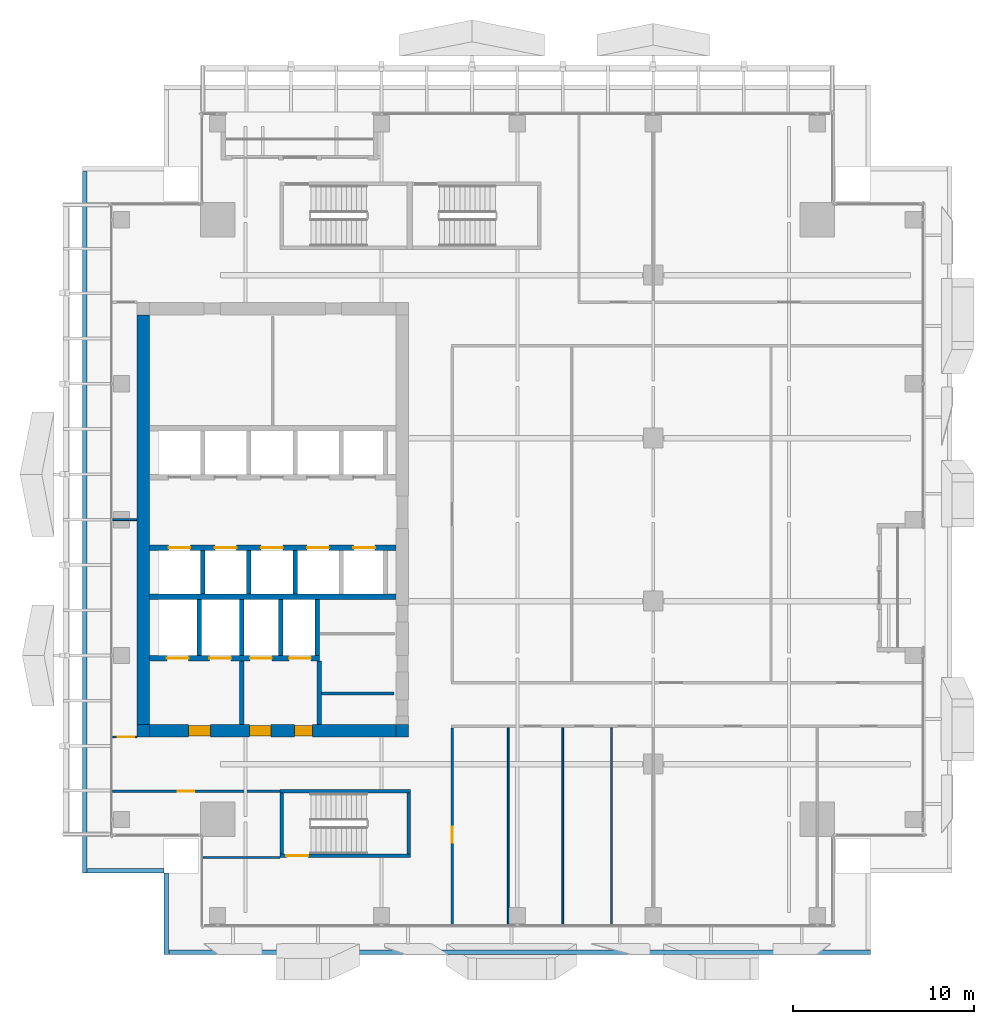
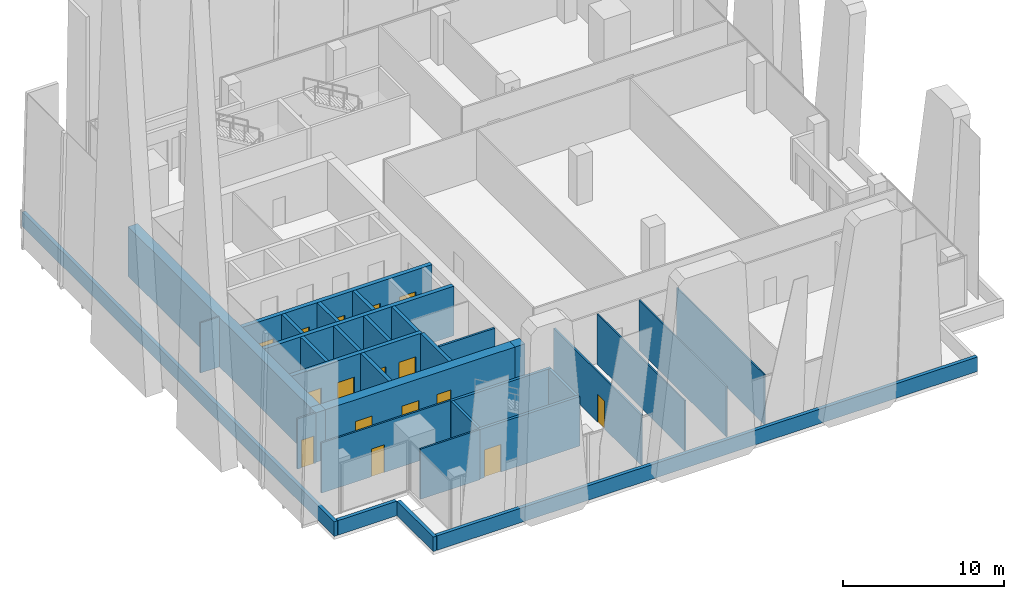
# One storey, part 26 of 33: 33 walls, 16 doors, 16 openings.
"""IFC4 building model written with IfcOpenShell, lengths in metres."""

from ifc_helpers import new_model, si_unit, direction, frame, frame_2d, origin, place, context, subcontext, project, spatial, rectangle, extrude, source, transform, mapped, material, layer, layer_set, type_object, element, fill, save


model = new_model("IFC4")

# Units and contexts
model_context = context("Model", 3, precision=1e-05, world=origin(), true_north=direction((0.0, 1.0)))
body_context = subcontext(model_context, "Body", "Model", "MODEL_VIEW")
ifc_project = project(units=[si_unit("LENGTHUNIT", "METRE"), si_unit("AREAUNIT", "SQUARE_METRE"), si_unit("VOLUMEUNIT", "CUBIC_METRE"), si_unit("PLANEANGLEUNIT", "RADIAN"), si_unit("MASSUNIT", "GRAM", prefix="KILO")], contexts=[model_context])

# Site, building, storey
site_placement = place(None, origin())
site = spatial("IfcSite", under=ifc_project, at=site_placement, CompositionType="ELEMENT")
building_placement = place(site_placement, origin())
building = spatial("IfcBuilding", under=site, at=building_placement, Name="Khomas Fold Tower", CompositionType="ELEMENT")
storey_placement = place(building_placement, frame((0.0, 0.0, 222.199951171875)))
storey = spatial("IfcBuildingStorey", under=building, at=storey_placement, Name="L49", CompositionType="ELEMENT", Elevation=222.199951171875)

# Wall
ifc_material_1 = material(Name="Concrete C50/60", Category="concrete")
ifc_layer_1 = layer(ifc_material_1, 0.199951171875)
ifc_layer_set_1 = layer_set([ifc_layer_1], Name="Concrete C50/60")
wall_type_1 = type_object("IfcWallType", Name="Stair wall 200", PredefinedType="SHEAR", material=ifc_layer_set_1)
shared_shape_1 = source(origin(), body_context, "Body", "SweptSolid", [
    extrude(rectangle(XDim=7.2001953125, YDim=0.199951171875, at=frame_2d((3.60009765625, 0.0))), origin(), (0.0, 0.0, 1.0), 3.75),
])
wall_1_placement = place(storey_placement, frame((13.89990234375, 12.0, 0.0), z_axis=(0.0, 0.0, 1.0), x_axis=(1.0, 0.0, 0.0)))
element("IfcWall", 1, at=wall_1_placement, inside=storey, type_object=wall_type_1, Name="Stair wall SW-ST2-NH", PredefinedType="SHEAR", context=body_context, shape_type="MappedRepresentation", body=[
    mapped(shared_shape_1, transform((0.0, 0.0, 0.0))),
])

# Wall, opening, door
wall_2_placement = place(storey_placement, frame((13.89990234375, 8.449951171875, 0.0), z_axis=(0.0, 0.0, 1.0), x_axis=(1.0, 0.0, 0.0)))
wall_2 = element("IfcWall", 2, at=wall_2_placement, inside=storey, type_object=wall_type_1, Name="Stair wall SW-ST2-S", PredefinedType="SHEAR", context=body_context, shape_type="MappedRepresentation", body=[
    mapped(shared_shape_1, transform((0.0, 0.0, 0.0))),
])
shared_shape_2 = source(origin(), body_context, "Body", "SweptSolid", [
    extrude(rectangle(XDim=1.199951171875, YDim=2.10009765625, at=frame_2d((0.60009765625, 1.050048828125))), frame((0.0, 0.10986328125, 0.0), z_axis=(0.0, -1.0, 0.0), x_axis=(1.0, 0.0, 0.0)), (0.0, 0.0, 1.0), 0.219970703125),
])
opening_1_placement = place(wall_2_placement, frame((0.35009765625, 0.0, 0.0)))
opening_1 = element("IfcOpeningElement", 3, at=opening_1_placement, cuts=wall_2, Name="Opening SD-ST2", PredefinedType="OPENING", context=body_context, shape_type="MappedRepresentation", body=[
    mapped(shared_shape_2, transform((0.0, 0.0, 0.0))),
])
ifc_material_2 = material(Name="Steel door leaf", Category="steel")
door_type_1 = type_object("IfcDoorType", Name="Stair door 1200x2100 right-hand", OperationType="SINGLE_SWING_RIGHT", PredefinedType="DOOR", material=ifc_material_2)
shared_shape_3 = source(origin(), body_context, "Body", "SweptSolid", [
    extrude(rectangle(XDim=1.199951171875, YDim=2.10009765625, at=frame_2d((0.60009765625, 1.050048828125))), frame((0.0, 0.02490234375, 0.0), z_axis=(0.0, -1.0, 0.0), x_axis=(1.0, 0.0, 0.0)), (0.0, 0.0, 1.0), 0.050048828125),
])
door_1_placement = place(opening_1_placement, origin())
door_1 = element("IfcDoor", 4, at=door_1_placement, inside=storey, type_object=door_type_1, Name="Stair door", OperationType="SINGLE_SWING_RIGHT", OverallHeight=2.10009765625, OverallWidth=1.199951171875, PredefinedType="DOOR", context=body_context, shape_type="MappedRepresentation", body=[
    mapped(shared_shape_3, transform((0.0, 0.0, 0.0))),
])
fill(opening_1, door_1)

# Walls
shared_shape_4 = source(origin(), body_context, "Body", "SweptSolid", [
    extrude(rectangle(XDim=3.349853515625, YDim=0.199951171875, at=frame_2d((1.6748046875, 0.0))), origin(), (0.0, 0.0, 1.0), 3.75),
])
for number, where, z_axis, x_axis, name in (
    (5, (21.0, 8.550048828125, 0.0), (0.0, 0.0, 1.0), (0.0, 1.0, 0.0), "Stair wall SW-ST2-E"),
    (6, (14.0, 8.550048828125, 0.0), (0.0, 0.0, 1.0), (0.0, 1.0, 0.0), "Stair wall SW-ST2-W"),
):
    element("IfcWall", number, at=place(storey_placement, frame(where, z_axis=z_axis, x_axis=x_axis)), inside=storey, type_object=wall_type_1, Name=name, PredefinedType="SHEAR", context=body_context, shape_type="MappedRepresentation", body=[
        mapped(shared_shape_4, transform((0.0, 0.0, 0.0))),
    ])
ifc_material_3 = material(Name="Concrete C50/60", Category="concrete")
ifc_layer_2 = layer(ifc_material_3, 0.25)
ifc_layer_set_2 = layer_set([ifc_layer_2], Name="Concrete C50/60")
wall_type_2 = type_object("IfcWallType", Name="Shaft wall 250", PredefinedType="STANDARD", material=ifc_layer_set_2)
shared_shape_5 = source(origin(), body_context, "Body", "SweptSolid", [
    extrude(rectangle(XDim=3.10009765625, YDim=0.25, at=frame_2d((1.550048828125, 0.0))), origin(), (0.0, 0.0, 1.0), 3.75),
])
for number, where, z_axis, x_axis, name in (
    (7, (9.425048828125, 19.5, 0.0), (0.0, 0.0, 1.0), (0.0, 1.0, 0.0), "Core wall SW-FS-P1"),
    (8, (11.77490234375, 19.5, 0.0), (0.0, 0.0, 1.0), (0.0, 1.0, 0.0), "Core wall SW-FS-P2"),
    (9, (13.925048828125, 19.5, 0.0), (0.0, 0.0, 1.0), (0.0, 1.0, 0.0), "Core wall SW-FS-P3"),
    (10, (15.949951171875, 19.5, 0.0), (0.0, 0.0, 1.0), (0.0, 1.0, 0.0), "Core wall SW-FS-PE"),
):
    element("IfcWall", number, at=place(storey_placement, frame(where, z_axis=z_axis, x_axis=x_axis)), inside=storey, type_object=wall_type_2, Name=name, PredefinedType="STANDARD", context=body_context, shape_type="MappedRepresentation", body=[
        mapped(shared_shape_5, transform((0.0, 0.0, 0.0))),
    ])
shared_shape_6 = source(origin(), body_context, "Body", "SweptSolid", [
    extrude(rectangle(XDim=2.400146484375, YDim=0.25, at=frame_2d((1.2001953125, 0.0))), origin(), (0.0, 0.0, 1.0), 3.75),
])
for number, where, z_axis, x_axis, name in (
    (11, (9.625, 22.89990234375, 0.0), (0.0, 0.0, 1.0), (0.0, 1.0, 0.0), "Core wall SW-HRS-P1"),
    (12, (12.175048828125, 22.89990234375, 0.0), (0.0, 0.0, 1.0), (0.0, 1.0, 0.0), "Core wall SW-HRS-P2"),
    (13, (14.72509765625, 22.89990234375, 0.0), (0.0, 0.0, 1.0), (0.0, 1.0, 0.0), "Core wall SW-HRS-PE"),
):
    element("IfcWall", number, at=place(storey_placement, frame(where, z_axis=z_axis, x_axis=x_axis)), inside=storey, type_object=wall_type_2, Name=name, PredefinedType="STANDARD", context=body_context, shape_type="MappedRepresentation", body=[
        mapped(shared_shape_6, transform((0.0, 0.0, 0.0))),
    ])

# Wall, openings, doors
ifc_material_4 = material(Name="Concrete C60/75", Category="concrete")
ifc_layer_3 = layer(ifc_material_4, 0.699951171875)
ifc_layer_set_3 = layer_set([ifc_layer_3], Name="Concrete C60/75")
wall_type_3 = type_object("IfcWallType", Name="Core wall 700", PredefinedType="SHEAR", material=ifc_layer_set_3)
shared_shape_7 = source(origin(), body_context, "Body", "SweptSolid", [
    extrude(rectangle(XDim=13.60009765625, YDim=0.699951171875, at=frame_2d((6.800048828125, 0.0))), origin(), (0.0, 0.0, 1.0), 3.75),
])
wall_3_placement = place(storey_placement, frame((6.699951171875, 15.35009765625, 0.0), z_axis=(0.0, 0.0, 1.0), x_axis=(1.0, 0.0, 0.0)))
wall_3 = element("IfcWall", 14, at=wall_3_placement, inside=storey, type_object=wall_type_3, Name="Core wall CW-U-S-L49", PredefinedType="SHEAR", context=body_context, shape_type="MappedRepresentation", body=[
    mapped(shared_shape_7, transform((0.0, 0.0, 0.0))),
])
shared_shape_8 = source(origin(), body_context, "Body", "SweptSolid", [
    extrude(rectangle(XDim=1.199951171875, YDim=2.10009765625, at=frame_2d((0.60009765625, 1.050048828125))), frame((0.0, 0.35986328125, 0.0), z_axis=(0.0, -1.0, 0.0), x_axis=(1.0, 0.0, 0.0)), (0.0, 0.0, 1.0), 0.719970703125),
])
opening_2_placement = place(wall_3_placement, frame((5.5, 0.0, 0.0)))
opening_2 = element("IfcOpeningElement", 15, at=opening_2_placement, cuts=wall_3, Name="Opening 0009", PredefinedType="OPENING", context=body_context, shape_type="MappedRepresentation", body=[
    mapped(shared_shape_8, transform((0.0, 0.0, 0.0))),
])
opening_3_placement = place(wall_3_placement, frame((2.14990234375, 0.0, 0.0)))
opening_3 = element("IfcOpeningElement", 16, at=opening_3_placement, cuts=wall_3, Name="Opening 0009", PredefinedType="OPENING", context=body_context, shape_type="MappedRepresentation", body=[
    mapped(shared_shape_8, transform((0.0, 0.0, 0.0))),
])
shared_shape_9 = source(origin(), body_context, "Body", "SweptSolid", [
    extrude(rectangle(XDim=1.0, YDim=2.10009765625, at=frame_2d((0.5, 1.050048828125))), frame((0.0, 0.35986328125, 0.0), z_axis=(0.0, -1.0, 0.0), x_axis=(1.0, 0.0, 0.0)), (0.0, 0.0, 1.0), 0.719970703125),
])
opening_4_placement = place(wall_3_placement, frame((8.0, 0.0, 0.0)))
opening_4 = element("IfcOpeningElement", 17, at=opening_4_placement, cuts=wall_3, Name="Opening 0010", PredefinedType="OPENING", context=body_context, shape_type="MappedRepresentation", body=[
    mapped(shared_shape_9, transform((0.0, 0.0, 0.0))),
])
ifc_material_5 = material(Name="Steel door leaf", Category="steel")
door_type_2 = type_object("IfcDoorType", Name="Lobby door 1200x2100 right-hand", OperationType="SINGLE_SWING_RIGHT", PredefinedType="DOOR", material=ifc_material_5)
shared_shape_10 = source(origin(), body_context, "Body", "SweptSolid", [
    extrude(rectangle(XDim=1.199951171875, YDim=2.10009765625, at=frame_2d((0.60009765625, 1.050048828125))), frame((0.0, 0.2998046875, 0.0), z_axis=(0.0, -1.0, 0.0), x_axis=(1.0, 0.0, 0.0)), (0.0, 0.0, 1.0), 0.599853515625),
])
door_2_placement = place(opening_2_placement, origin())
door_2 = element("IfcDoor", 18, at=door_2_placement, inside=storey, type_object=door_type_2, Name="Lobby door", OperationType="SINGLE_SWING_RIGHT", OverallHeight=2.10009765625, OverallWidth=1.199951171875, PredefinedType="DOOR", context=body_context, shape_type="MappedRepresentation", body=[
    mapped(shared_shape_10, transform((0.0, 0.0, 0.0))),
])
fill(opening_2, door_2)
door_3_placement = place(opening_3_placement, origin())
door_3 = element("IfcDoor", 19, at=door_3_placement, inside=storey, type_object=door_type_2, Name="Lobby door", OperationType="SINGLE_SWING_RIGHT", OverallHeight=2.10009765625, OverallWidth=1.199951171875, PredefinedType="DOOR", context=body_context, shape_type="MappedRepresentation", body=[
    mapped(shared_shape_10, transform((0.0, 0.0, 0.0))),
])
fill(opening_3, door_3)
ifc_material_6 = material(Name="Steel door leaf", Category="steel")
door_type_3 = type_object("IfcDoorType", Name="Stair door 1000x2100 right-hand", OperationType="SINGLE_SWING_RIGHT", PredefinedType="DOOR", material=ifc_material_6)
shared_shape_11 = source(origin(), body_context, "Body", "SweptSolid", [
    extrude(rectangle(XDim=1.0, YDim=2.10009765625, at=frame_2d((0.5, 1.050048828125))), frame((0.0, 0.2998046875, 0.0), z_axis=(0.0, -1.0, 0.0), x_axis=(1.0, 0.0, 0.0)), (0.0, 0.0, 1.0), 0.599853515625),
])
door_4_placement = place(opening_4_placement, origin())
door_4 = element("IfcDoor", 20, at=door_4_placement, inside=storey, type_object=door_type_3, Name="Stair door", OperationType="SINGLE_SWING_RIGHT", OverallHeight=2.10009765625, OverallWidth=1.0, PredefinedType="DOOR", context=body_context, shape_type="MappedRepresentation", body=[
    mapped(shared_shape_11, transform((0.0, 0.0, 0.0))),
])
fill(opening_4, door_4)

# Walls
ifc_material_7 = material(Name="Concrete C60/75", Category="concrete")
ifc_layer_4 = layer(ifc_material_7, 0.699951171875)
ifc_layer_set_4 = layer_set([ifc_layer_4], Name="Concrete C60/75")
wall_type_4 = type_object("IfcWallType", Name="Core corner wall 700", PredefinedType="SHEAR", material=ifc_layer_set_4)
shared_shape_12 = source(origin(), body_context, "Body", "SweptSolid", [
    extrude(rectangle(XDim=0.699951171875, YDim=0.699951171875, at=frame_2d((0.35009765625, 0.0))), origin(), (0.0, 0.0, 1.0), 3.75),
])
for number, where, z_axis, x_axis, name in (
    (21, (20.300048828125, 15.35009765625, 0.0), (0.0, 0.0, 1.0), (1.0, 0.0, 0.0), "Core wall CW-U-SE-L49"),
    (22, (6.0, 15.35009765625, 0.0), (0.0, 0.0, 1.0), (1.0, 0.0, 0.0), "Core wall CW-U-SW-L49"),
):
    element("IfcWall", number, at=place(storey_placement, frame(where, z_axis=z_axis, x_axis=x_axis)), inside=storey, type_object=wall_type_4, Name=name, PredefinedType="SHEAR", context=body_context, shape_type="MappedRepresentation", body=[
        mapped(shared_shape_12, transform((0.0, 0.0, 0.0))),
    ])
shared_shape_13 = source(origin(), body_context, "Body", "SweptSolid", [
    extrude(rectangle(XDim=22.60009765625, YDim=0.699951171875, at=frame_2d((11.300048828125, 0.0))), origin(), (0.0, 0.0, 1.0), 3.75),
])
wall_4_placement = place(storey_placement, frame((6.35009765625, 15.699951171875, 0.0), z_axis=(0.0, 0.0, 1.0), x_axis=(0.0, 1.0, 0.0)))
element("IfcWall", 23, at=wall_4_placement, inside=storey, type_object=wall_type_3, Name="Core wall CW-U-W-L49", PredefinedType="SHEAR", context=body_context, shape_type="MappedRepresentation", body=[
    mapped(shared_shape_13, transform((0.0, 0.0, 0.0))),
])
ifc_material_8 = material(Name="Concrete C50/60", Category="concrete")
ifc_layer_5 = layer(ifc_material_8, 0.300048828125)
ifc_layer_set_5 = layer_set([ifc_layer_5], Name="Concrete C50/60")
wall_type_5 = type_object("IfcWallType", Name="Shaft wall 300", PredefinedType="STANDARD", material=ifc_layer_set_5)
shared_shape_14 = source(origin(), body_context, "Body", "SweptSolid", [
    extrude(rectangle(XDim=13.60009765625, YDim=0.300048828125, at=frame_2d((6.800048828125, 0.0))), origin(), (0.0, 0.0, 1.0), 3.75),
])
wall_5_placement = place(storey_placement, frame((6.699951171875, 22.75, 0.0), z_axis=(0.0, 0.0, 1.0), x_axis=(1.0, 0.0, 0.0)))
element("IfcWall", 24, at=wall_5_placement, inside=storey, type_object=wall_type_5, Name="Core wall SW-FS-B", PredefinedType="STANDARD", context=body_context, shape_type="MappedRepresentation", body=[
    mapped(shared_shape_14, transform((0.0, 0.0, 0.0))),
])

# Wall, openings, doors
wall_6_placement = place(storey_placement, frame((6.699951171875, 25.449951171875, 0.0), z_axis=(0.0, 0.0, 1.0), x_axis=(1.0, 0.0, 0.0)))
wall_6 = element("IfcWall", 25, at=wall_6_placement, inside=storey, type_object=wall_type_5, Name="Core wall SW-HRS-F", PredefinedType="STANDARD", context=body_context, shape_type="MappedRepresentation", body=[
    mapped(shared_shape_14, transform((0.0, 0.0, 0.0))),
])
shared_shape_15 = source(origin(), body_context, "Body", "SweptSolid", [
    extrude(rectangle(XDim=1.199951171875, YDim=2.10009765625, at=frame_2d((0.60009765625, 1.050048828125))), frame((0.0, 0.159912109375, 0.0), z_axis=(0.0, -1.0, 0.0), x_axis=(1.0, 0.0, 0.0)), (0.0, 0.0, 1.0), 0.320068359375),
])
opening_5_placement = place(wall_6_placement, frame((1.050048828125, 0.0, 0.0)))
opening_5 = element("IfcOpeningElement", 26, at=opening_5_placement, cuts=wall_6, Name="Opening LD-HR1", PredefinedType="OPENING", context=body_context, shape_type="MappedRepresentation", body=[
    mapped(shared_shape_15, transform((0.0, 0.0, 0.0))),
])
opening_6_placement = place(wall_6_placement, frame((3.60009765625, 0.0, 0.0)))
opening_6 = element("IfcOpeningElement", 27, at=opening_6_placement, cuts=wall_6, Name="Opening LD-HR2", PredefinedType="OPENING", context=body_context, shape_type="MappedRepresentation", body=[
    mapped(shared_shape_15, transform((0.0, 0.0, 0.0))),
])
opening_7_placement = place(wall_6_placement, frame((6.14990234375, 0.0, 0.0)))
opening_7 = element("IfcOpeningElement", 28, at=opening_7_placement, cuts=wall_6, Name="Opening LD-HR3", PredefinedType="OPENING", context=body_context, shape_type="MappedRepresentation", body=[
    mapped(shared_shape_15, transform((0.0, 0.0, 0.0))),
])
opening_8_placement = place(wall_6_placement, frame((8.699951171875, 0.0, 0.0)))
opening_8 = element("IfcOpeningElement", 29, at=opening_8_placement, cuts=wall_6, Name="Opening LD-MR1", PredefinedType="OPENING", context=body_context, shape_type="MappedRepresentation", body=[
    mapped(shared_shape_15, transform((0.0, 0.0, 0.0))),
])
opening_9_placement = place(wall_6_placement, frame((11.25, 0.0, 0.0)))
opening_9 = element("IfcOpeningElement", 30, at=opening_9_placement, cuts=wall_6, Name="Opening LD-MR2", PredefinedType="OPENING", context=body_context, shape_type="MappedRepresentation", body=[
    mapped(shared_shape_15, transform((0.0, 0.0, 0.0))),
])
ifc_material_9 = material(Name="Steel door leaf", Category="steel")
door_type_4 = type_object("IfcDoorType", Name="Landing door 1200x2100", OperationType="DOUBLE_DOOR_SLIDING", PredefinedType="DOOR", material=ifc_material_9)
door_5_placement = place(opening_5_placement, origin())
door_5 = element("IfcDoor", 31, at=door_5_placement, inside=storey, type_object=door_type_4, Name="Lift landing door", OperationType="DOUBLE_DOOR_SLIDING", OverallHeight=2.10009765625, OverallWidth=1.199951171875, PredefinedType="DOOR", context=body_context, shape_type="MappedRepresentation", body=[
    mapped(shared_shape_3, transform((0.0, 0.0, 0.0))),
])
fill(opening_5, door_5)
door_6_placement = place(opening_6_placement, origin())
door_6 = element("IfcDoor", 32, at=door_6_placement, inside=storey, type_object=door_type_4, Name="Lift landing door", OperationType="DOUBLE_DOOR_SLIDING", OverallHeight=2.10009765625, OverallWidth=1.199951171875, PredefinedType="DOOR", context=body_context, shape_type="MappedRepresentation", body=[
    mapped(shared_shape_3, transform((0.0, 0.0, 0.0))),
])
fill(opening_6, door_6)
door_7_placement = place(opening_7_placement, origin())
door_7 = element("IfcDoor", 33, at=door_7_placement, inside=storey, type_object=door_type_4, Name="Lift landing door", OperationType="DOUBLE_DOOR_SLIDING", OverallHeight=2.10009765625, OverallWidth=1.199951171875, PredefinedType="DOOR", context=body_context, shape_type="MappedRepresentation", body=[
    mapped(shared_shape_3, transform((0.0, 0.0, 0.0))),
])
fill(opening_7, door_7)
door_8_placement = place(opening_8_placement, origin())
door_8 = element("IfcDoor", 34, at=door_8_placement, inside=storey, type_object=door_type_4, Name="Lift landing door", OperationType="DOUBLE_DOOR_SLIDING", OverallHeight=2.10009765625, OverallWidth=1.199951171875, PredefinedType="DOOR", context=body_context, shape_type="MappedRepresentation", body=[
    mapped(shared_shape_3, transform((0.0, 0.0, 0.0))),
])
fill(opening_8, door_8)
door_9_placement = place(opening_9_placement, origin())
door_9 = element("IfcDoor", 35, at=door_9_placement, inside=storey, type_object=door_type_4, Name="Lift landing door", OperationType="DOUBLE_DOOR_SLIDING", OverallHeight=2.10009765625, OverallWidth=1.199951171875, PredefinedType="DOOR", context=body_context, shape_type="MappedRepresentation", body=[
    mapped(shared_shape_3, transform((0.0, 0.0, 0.0))),
])
fill(opening_9, door_9)

shared_shape_16 = source(origin(), body_context, "Body", "SweptSolid", [
    extrude(rectangle(XDim=9.375, YDim=0.300048828125, at=frame_2d((4.6875, 0.0))), origin(), (0.0, 0.0, 1.0), 3.75),
])
wall_7_placement = place(storey_placement, frame((6.699951171875, 19.35009765625, 0.0), z_axis=(0.0, 0.0, 1.0), x_axis=(1.0, 0.0, 0.0)))
wall_7 = element("IfcWall", 36, at=wall_7_placement, inside=storey, type_object=wall_type_5, Name="Core wall SW-FS-F", PredefinedType="STANDARD", context=body_context, shape_type="MappedRepresentation", body=[
    mapped(shared_shape_16, transform((0.0, 0.0, 0.0))),
])
opening_10_placement = place(wall_7_placement, frame((0.949951171875, 0.0, 0.0)))
opening_10 = element("IfcOpeningElement", 37, at=opening_10_placement, cuts=wall_7, Name="Opening LD-SV1", PredefinedType="OPENING", context=body_context, shape_type="MappedRepresentation", body=[
    mapped(shared_shape_15, transform((0.0, 0.0, 0.0))),
])
opening_11_placement = place(wall_7_placement, frame((3.300048828125, 0.0, 0.0)))
opening_11 = element("IfcOpeningElement", 38, at=opening_11_placement, cuts=wall_7, Name="Opening LD-SV2", PredefinedType="OPENING", context=body_context, shape_type="MappedRepresentation", body=[
    mapped(shared_shape_15, transform((0.0, 0.0, 0.0))),
])
opening_12_placement = place(wall_7_placement, frame((5.550048828125, 0.0, 0.0)))
opening_12 = element("IfcOpeningElement", 39, at=opening_12_placement, cuts=wall_7, Name="Opening LD-FF1", PredefinedType="OPENING", context=body_context, shape_type="MappedRepresentation", body=[
    mapped(shared_shape_15, transform((0.0, 0.0, 0.0))),
])
opening_13_placement = place(wall_7_placement, frame((7.699951171875, 0.0, 0.0)))
opening_13 = element("IfcOpeningElement", 40, at=opening_13_placement, cuts=wall_7, Name="Opening LD-FF2", PredefinedType="OPENING", context=body_context, shape_type="MappedRepresentation", body=[
    mapped(shared_shape_15, transform((0.0, 0.0, 0.0))),
])
door_10_placement = place(opening_10_placement, origin())
door_10 = element("IfcDoor", 41, at=door_10_placement, inside=storey, type_object=door_type_4, Name="Lift landing door", OperationType="DOUBLE_DOOR_SLIDING", OverallHeight=2.10009765625, OverallWidth=1.199951171875, PredefinedType="DOOR", context=body_context, shape_type="MappedRepresentation", body=[
    mapped(shared_shape_3, transform((0.0, 0.0, 0.0))),
])
fill(opening_10, door_10)
door_11_placement = place(opening_11_placement, origin())
door_11 = element("IfcDoor", 42, at=door_11_placement, inside=storey, type_object=door_type_4, Name="Lift landing door", OperationType="DOUBLE_DOOR_SLIDING", OverallHeight=2.10009765625, OverallWidth=1.199951171875, PredefinedType="DOOR", context=body_context, shape_type="MappedRepresentation", body=[
    mapped(shared_shape_3, transform((0.0, 0.0, 0.0))),
])
fill(opening_11, door_11)
door_12_placement = place(opening_12_placement, origin())
door_12 = element("IfcDoor", 43, at=door_12_placement, inside=storey, type_object=door_type_4, Name="Lift landing door", OperationType="DOUBLE_DOOR_SLIDING", OverallHeight=2.10009765625, OverallWidth=1.199951171875, PredefinedType="DOOR", context=body_context, shape_type="MappedRepresentation", body=[
    mapped(shared_shape_3, transform((0.0, 0.0, 0.0))),
])
fill(opening_12, door_12)
door_13_placement = place(opening_13_placement, origin())
door_13 = element("IfcDoor", 44, at=door_13_placement, inside=storey, type_object=door_type_4, Name="Lift landing door", OperationType="DOUBLE_DOOR_SLIDING", OverallHeight=2.10009765625, OverallWidth=1.199951171875, PredefinedType="DOOR", context=body_context, shape_type="MappedRepresentation", body=[
    mapped(shared_shape_3, transform((0.0, 0.0, 0.0))),
])
fill(opening_13, door_13)

# Walls
ifc_material_10 = material(Name="Concrete C50/60", Category="concrete")
ifc_layer_6 = layer(ifc_material_10, 0.25)
ifc_layer_set_6 = layer_set([ifc_layer_6], Name="Concrete C50/60")
wall_type_6 = type_object("IfcWallType", Name="Lobby wall 250", PredefinedType="STANDARD", material=ifc_layer_set_6)
shared_shape_17 = source(origin(), body_context, "Body", "SweptSolid", [
    extrude(rectangle(XDim=3.5, YDim=0.25, at=frame_2d((1.75, 0.0))), origin(), (0.0, 0.0, 1.0), 3.75),
])
for number, where, z_axis, x_axis, name in (
    (45, (16.074951171875, 15.699951171875, 0.0), (0.0, 0.0, 1.0), (0.0, 1.0, 0.0), "Core wall SW-FS-LOB-E"),
    (46, (11.77490234375, 15.699951171875, 0.0), (0.0, 0.0, 1.0), (0.0, 1.0, 0.0), "Core wall SW-FS-SEP"),
):
    element("IfcWall", number, at=place(storey_placement, frame(where, z_axis=z_axis, x_axis=x_axis)), inside=storey, type_object=wall_type_6, Name=name, PredefinedType="STANDARD", context=body_context, shape_type="MappedRepresentation", body=[
        mapped(shared_shape_17, transform((0.0, 0.0, 0.0))),
    ])
ifc_material_11 = material(Name="Concrete C40/50", Category="concrete")
ifc_layer_7 = layer(ifc_material_11, 0.25)
ifc_layer_set_7 = layer_set([ifc_layer_7], Name="Concrete C40/50")
wall_type_7 = type_object("IfcWallType", Name="Setback roof parapet 250", PredefinedType="PARAPET", material=ifc_layer_set_7)
shared_shape_18 = source(origin(), body_context, "Body", "SweptSolid", [
    extrude(rectangle(XDim=4.5, YDim=0.25, at=frame_2d((2.25, 0.0))), origin(), (0.0, 0.0, 1.0), 1.10009765625),
])
wall_8_placement = place(storey_placement, frame((7.625, 7.5, 0.0), z_axis=(0.0, 0.0, 1.0), x_axis=(0.0, -1.0, 0.0)))
element("IfcWall", 47, at=wall_8_placement, inside=storey, type_object=wall_type_7, Name="Setback roof parapet", PredefinedType="SOLIDWALL", context=body_context, shape_type="MappedRepresentation", body=[
    mapped(shared_shape_18, transform((0.0, 0.0, 0.0))),
])
shared_shape_19 = source(origin(), body_context, "Body", "SweptSolid", [
    extrude(rectangle(XDim=4.22998046875, YDim=0.25, at=frame_2d((2.114990234375, 0.0))), origin(), (0.0, 0.0, 1.0), 1.10009765625),
])
wall_9_placement = place(storey_placement, frame((3.27001953125, 7.625, 0.0), z_axis=(0.0, 0.0, 1.0), x_axis=(1.0, 0.0, 0.0)))
element("IfcWall", 48, at=wall_9_placement, inside=storey, type_object=wall_type_7, Name="Setback roof parapet", PredefinedType="SOLIDWALL", context=body_context, shape_type="MappedRepresentation", body=[
    mapped(shared_shape_19, transform((0.0, 0.0, 0.0))),
])
shared_shape_20 = source(origin(), body_context, "Body", "SweptSolid", [
    extrude(rectangle(XDim=38.72998046875, YDim=0.25, at=frame_2d((19.364990234375, 0.0))), origin(), (0.0, 0.0, 1.0), 1.10009765625),
])
for number, where, z_axis, x_axis, name in (
    (49, (7.77001953125, 3.125, 0.0), (0.0, 0.0, 1.0), (1.0, 0.0, 0.0), "Setback roof parapet"),
    (50, (3.125, 46.22998046875, 0.0), (0.0, 0.0, 1.0), (0.0, -1.0, 0.0), "Setback roof parapet"),
):
    element("IfcWall", number, at=place(storey_placement, frame(where, z_axis=z_axis, x_axis=x_axis)), inside=storey, type_object=wall_type_7, Name=name, PredefinedType="SOLIDWALL", context=body_context, shape_type="MappedRepresentation", body=[
        mapped(shared_shape_20, transform((0.0, 0.0, 0.0))),
    ])
ifc_material_12 = material(Name="Plasterboard fire partition")
ifc_layer_8 = layer(ifc_material_12, 0.14990234375)
ifc_layer_set_8 = layer_set([ifc_layer_8], Name="Plasterboard fire partition")
wall_type_8 = type_object("IfcWallType", Name="Plant room wall PW3 150", PredefinedType="PARTITIONING", material=ifc_layer_set_8)
shared_shape_21 = source(origin(), body_context, "Body", "SweptSolid", [
    extrude(rectangle(XDim=4.0, YDim=0.14990234375, at=frame_2d((2.0, 0.0))), origin(), (0.0, 0.0, 1.0), 3.800048828125),
])
wall_10_placement = place(storey_placement, frame((16.199951171875, 17.39990234375, 0.0), z_axis=(0.0, 0.0, 1.0), x_axis=(1.0, 0.0, 0.0)))
element("IfcWall", 51, at=wall_10_placement, inside=storey, type_object=wall_type_8, Name="Plant room wall", PredefinedType="PARTITIONING", context=body_context, shape_type="MappedRepresentation", body=[
    mapped(shared_shape_21, transform((0.0, 0.0, 0.0))),
])

# Wall, opening, door
ifc_material_13 = material(Name="Plasterboard partition")
ifc_layer_9 = layer(ifc_material_13, 0.125)
ifc_layer_set_9 = layer_set([ifc_layer_9], Name="Plasterboard partition")
wall_type_9 = type_object("IfcWallType", Name="Partition PW2 125", PredefinedType="PARTITIONING", material=ifc_layer_set_9)
shared_shape_22 = source(origin(), body_context, "Body", "SweptSolid", [
    extrude(rectangle(XDim=9.25, YDim=0.125, at=frame_2d((4.625, 0.0))), origin(), (0.0, 0.0, 1.0), 3.800048828125),
])
wall_11_placement = place(storey_placement, frame((4.64990234375, 12.0, 0.0), z_axis=(0.0, 0.0, 1.0), x_axis=(1.0, 0.0, 0.0)))
wall_11 = element("IfcWall", 52, at=wall_11_placement, inside=storey, type_object=wall_type_9, Name="Partition", PredefinedType="PARTITIONING", context=body_context, shape_type="MappedRepresentation", body=[
    mapped(shared_shape_22, transform((0.0, 0.0, 0.0))),
])
shared_shape_23 = source(origin(), body_context, "Body", "SweptSolid", [
    extrude(rectangle(XDim=0.89990234375, YDim=2.10009765625, at=frame_2d((0.449951171875, 1.050048828125))), frame((0.0, 0.072509765625, 0.0), z_axis=(0.0, -1.0, 0.0), x_axis=(1.0, 0.0, 0.0)), (0.0, 0.0, 1.0), 0.14501953125),
])
opening_14_placement = place(wall_11_placement, frame((3.60009765625, 0.0, 0.0)))
opening_14 = element("IfcOpeningElement", 53, at=opening_14_placement, cuts=wall_11, Name="Opening 0007", PredefinedType="OPENING", context=body_context, shape_type="MappedRepresentation", body=[
    mapped(shared_shape_23, transform((0.0, 0.0, 0.0))),
])
ifc_material_14 = material(Name="Timber door leaf", Category="wood")
door_type_5 = type_object("IfcDoorType", Name="Door 900x2100 left-hand", OperationType="SINGLE_SWING_LEFT", PredefinedType="DOOR", material=ifc_material_14)
shared_shape_24 = source(origin(), body_context, "Body", "SweptSolid", [
    extrude(rectangle(XDim=0.89990234375, YDim=2.10009765625, at=frame_2d((0.449951171875, 1.050048828125))), frame((0.0, 0.02490234375, 0.0), z_axis=(0.0, -1.0, 0.0), x_axis=(1.0, 0.0, 0.0)), (0.0, 0.0, 1.0), 0.050048828125),
])
door_14_placement = place(opening_14_placement, origin())
door_14 = element("IfcDoor", 54, at=door_14_placement, inside=storey, type_object=door_type_5, Name="Door", OperationType="SINGLE_SWING_LEFT", OverallHeight=2.10009765625, OverallWidth=0.89990234375, PredefinedType="DOOR", context=body_context, shape_type="MappedRepresentation", body=[
    mapped(shared_shape_24, transform((0.0, 0.0, 0.0))),
])
fill(opening_14, door_14)

shared_shape_25 = source(origin(), body_context, "Body", "SweptSolid", [
    extrude(rectangle(XDim=10.85009765625, YDim=0.125, at=frame_2d((5.425048828125, 0.0))), origin(), (0.0, 0.0, 1.0), 3.800048828125),
])
wall_12_placement = place(storey_placement, frame((23.39990234375, 4.64990234375, 0.0), z_axis=(0.0, 0.0, 1.0), x_axis=(0.0, 1.0, 0.0)))
wall_12 = element("IfcWall", 55, at=wall_12_placement, inside=storey, type_object=wall_type_9, Name="Partition", PredefinedType="PARTITIONING", context=body_context, shape_type="MappedRepresentation", body=[
    mapped(shared_shape_25, transform((0.0, 0.0, 0.0))),
])
opening_15_placement = place(wall_12_placement, frame((4.5, 0.0, 0.0)))
opening_15 = element("IfcOpeningElement", 56, at=opening_15_placement, cuts=wall_12, Name="Opening 0005", PredefinedType="OPENING", context=body_context, shape_type="MappedRepresentation", body=[
    mapped(shared_shape_23, transform((0.0, 0.0, 0.0))),
])
ifc_material_15 = material(Name="Timber door leaf", Category="wood")
door_type_6 = type_object("IfcDoorType", Name="WC door 900x2100 left-hand", OperationType="SINGLE_SWING_LEFT", PredefinedType="DOOR", material=ifc_material_15)
door_15_placement = place(opening_15_placement, origin())
door_15 = element("IfcDoor", 57, at=door_15_placement, inside=storey, type_object=door_type_6, Name="WC door", OperationType="SINGLE_SWING_LEFT", OverallHeight=2.10009765625, OverallWidth=0.89990234375, PredefinedType="DOOR", context=body_context, shape_type="MappedRepresentation", body=[
    mapped(shared_shape_24, transform((0.0, 0.0, 0.0))),
])
fill(opening_15, door_15)

# Walls
ifc_material_16 = material(Name="Plasterboard partition")
ifc_layer_10 = layer(ifc_material_16, 0.10009765625)
ifc_layer_set_10 = layer_set([ifc_layer_10], Name="Plasterboard partition")
wall_type_10 = type_object("IfcWallType", Name="Partition PW1 100", PredefinedType="PARTITIONING", material=ifc_layer_set_10)
shared_shape_26 = source(origin(), body_context, "Body", "SweptSolid", [
    extrude(rectangle(XDim=10.85009765625, YDim=0.10009765625, at=frame_2d((5.425048828125, 0.0))), origin(), (0.0, 0.0, 1.0), 3.800048828125),
])
for number, where, z_axis, x_axis, name in (
    (58, (26.5, 4.64990234375, 0.0), (0.0, 0.0, 1.0), (0.0, 1.0, 0.0), "Partition"),
    (59, (29.5, 4.64990234375, 0.0), (0.0, 0.0, 1.0), (0.0, 1.0, 0.0), "Partition"),
    (60, (32.199951171875, 4.64990234375, 0.0), (0.0, 0.0, 1.0), (0.0, 1.0, 0.0), "Partition"),
):
    element("IfcWall", number, at=place(storey_placement, frame(where, z_axis=z_axis, x_axis=x_axis)), inside=storey, type_object=wall_type_10, Name=name, PredefinedType="PARTITIONING", context=body_context, shape_type="MappedRepresentation", body=[
        mapped(shared_shape_26, transform((0.0, 0.0, 0.0))),
    ])
shared_shape_27 = source(origin(), body_context, "Body", "SweptSolid", [
    extrude(rectangle(XDim=4.25, YDim=0.125, at=frame_2d((2.125, 0.0))), origin(), (0.0, 0.0, 1.0), 3.800048828125),
])
wall_13_placement = place(storey_placement, frame((9.64990234375, 8.35009765625, 0.0), z_axis=(0.0, 0.0, 1.0), x_axis=(1.0, 0.0, 0.0)))
element("IfcWall", 61, at=wall_13_placement, inside=storey, type_object=wall_type_9, Name="Partition", PredefinedType="PARTITIONING", context=body_context, shape_type="MappedRepresentation", body=[
    mapped(shared_shape_27, transform((0.0, 0.0, 0.0))),
])

# Wall, opening, door
shared_shape_28 = source(origin(), body_context, "Body", "SweptSolid", [
    extrude(rectangle(XDim=1.35009765625, YDim=0.125, at=frame_2d((0.675048828125, 0.0))), origin(), (0.0, 0.0, 1.0), 3.800048828125),
])
wall_14_placement = place(storey_placement, frame((4.64990234375, 15.0, 0.0), z_axis=(0.0, 0.0, 1.0), x_axis=(1.0, 0.0, 0.0)))
wall_14 = element("IfcWall", 62, at=wall_14_placement, inside=storey, type_object=wall_type_9, Name="Partition", PredefinedType="PARTITIONING", context=body_context, shape_type="MappedRepresentation", body=[
    mapped(shared_shape_28, transform((0.0, 0.0, 0.0))),
])
opening_16_placement = place(wall_14_placement, frame((0.300048828125, 0.0, 0.0)))
opening_16 = element("IfcOpeningElement", 63, at=opening_16_placement, cuts=wall_14, Name="Opening 0007", PredefinedType="OPENING", context=body_context, shape_type="MappedRepresentation", body=[
    mapped(shared_shape_23, transform((0.0, 0.0, 0.0))),
])
door_16_placement = place(opening_16_placement, origin())
door_16 = element("IfcDoor", 64, at=door_16_placement, inside=storey, type_object=door_type_5, Name="Door", OperationType="SINGLE_SWING_LEFT", OverallHeight=2.10009765625, OverallWidth=0.89990234375, PredefinedType="DOOR", context=body_context, shape_type="MappedRepresentation", body=[
    mapped(shared_shape_24, transform((0.0, 0.0, 0.0))),
])
fill(opening_16, door_16)

# Wall
shared_shape_29 = source(origin(), body_context, "Body", "SweptSolid", [
    extrude(rectangle(XDim=1.35009765625, YDim=0.10009765625, at=frame_2d((0.675048828125, 0.0))), origin(), (0.0, 0.0, 1.0), 3.800048828125),
])
wall_15_placement = place(storey_placement, frame((4.64990234375, 27.0, 0.0), z_axis=(0.0, 0.0, 1.0), x_axis=(1.0, 0.0, 0.0)))
element("IfcWall", 65, at=wall_15_placement, inside=storey, type_object=wall_type_10, Name="Partition", PredefinedType="PARTITIONING", context=body_context, shape_type="MappedRepresentation", body=[
    mapped(shared_shape_29, transform((0.0, 0.0, 0.0))),
])

save(model, "model.ifc")
